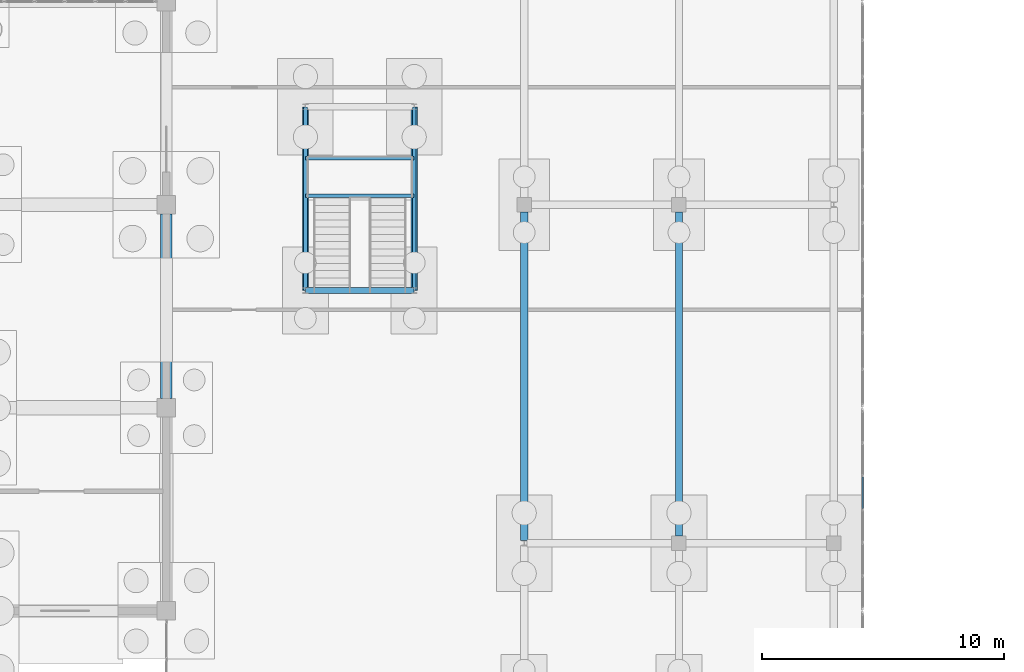
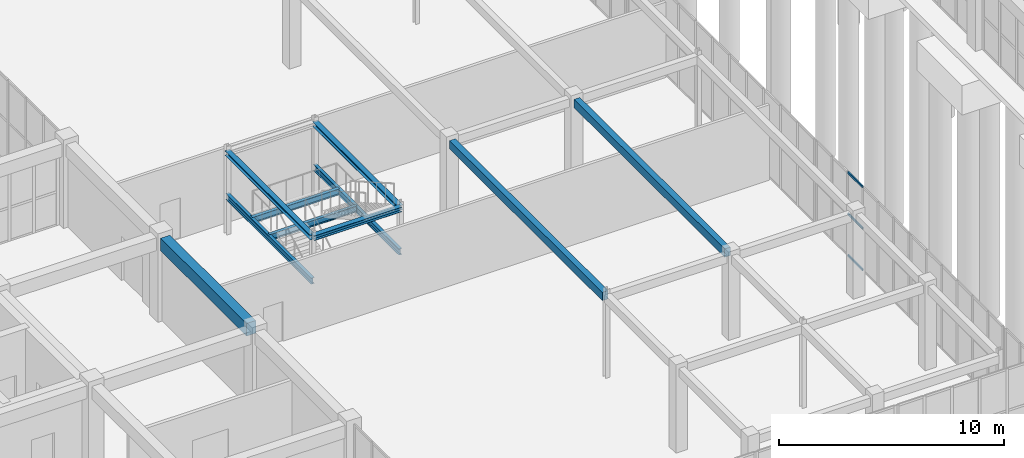
# One storey, part 75 of 192: 10 beams, 3 members, 1 element without a shape of its own.
"""IFC4 building model written with IfcOpenShell, lengths in metres."""

from ifc_helpers import new_model, si_unit, direction, frame, origin, origin_2d, place, context, subcontext, project, spatial, rectangle, hollow_rectangle, i_section, extrude, material, layer, layer_set, material_profile, profile_set, type_object, element, aggregate, save


model = new_model("IFC4")

# Units and contexts
model_context = context("Model", 3, precision=1e-05, world=origin(), true_north=direction((0.0, 1.0)))
body_context = subcontext(model_context, "Body", "Model", "MODEL_VIEW")
ifc_project = project(units=[si_unit("LENGTHUNIT", "METRE"), si_unit("AREAUNIT", "SQUARE_METRE"), si_unit("VOLUMEUNIT", "CUBIC_METRE"), si_unit("PLANEANGLEUNIT", "RADIAN"), si_unit("MASSUNIT", "GRAM", prefix="KILO")], contexts=[model_context])

# Site, building, storey
site_placement = place(None, origin())
site = spatial("IfcSite", under=ifc_project, at=site_placement, CompositionType="ELEMENT")
building_placement = place(site_placement, origin())
building = spatial("IfcBuilding", under=site, at=building_placement, Name="Trelvath General Hospital", CompositionType="ELEMENT")
storey_placement = place(building_placement, origin())
storey = spatial("IfcBuildingStorey", under=building, at=storey_placement, Name="L00", CompositionType="ELEMENT", Elevation=0.0)

# Beams
ifc_material_1 = material(Name="Concrete C35/45", Category="concrete")
ifc_material_profile_1 = material_profile(ifc_material_1, rectangle(XDim=0.300048828125, YDim=0.449951171875, at=origin_2d()), Name="RCB300x450")
ifc_profile_set_1 = profile_set([ifc_material_profile_1], Name="Concrete C35/45")
beam_type_1 = type_object("IfcBeamType", Name="Beam RC300x450", PredefinedType="BEAM", material=ifc_profile_set_1)
beam_1_placement = place(storey_placement, frame((107.199951171875, 44.906005859375, 4.3349609375), z_axis=(0.0, 1.0, 0.0), x_axis=(-1.0, 0.0, 0.0)))
element("IfcBeam", 1, at=beam_1_placement, inside=storey, type_object=beam_type_1, Name="Cube Interior Ring Beam CUBE-E-T0 L00", PredefinedType="BEAM", context=body_context, shape_type="SweptSolid", body=[
    extrude(rectangle(XDim=0.300048828125, YDim=0.449951171875, at=origin_2d()), origin(), (0.0, 0.0, 1.0), 13.597900390625),
])
beam_2_placement = place(storey_placement, frame((113.60009765625, 45.095947265625, 4.3349609375), z_axis=(0.0, 1.0, 0.0), x_axis=(-1.0, 0.0, 0.0)))
element("IfcBeam", 2, at=beam_2_placement, inside=storey, type_object=beam_type_1, Name="Cube Interior Ring Beam CUBE-E-T0 L00", PredefinedType="BEAM", context=body_context, shape_type="SweptSolid", body=[
    extrude(rectangle(XDim=0.300048828125, YDim=0.449951171875, at=origin_2d()), origin(), (0.0, 0.0, 1.0), 13.407958984375),
])
ifc_material_2 = material(Name="Concrete C35/45", Category="concrete")
ifc_material_profile_2 = material_profile(ifc_material_2, rectangle(XDim=0.47998046875, YDim=0.679931640625, at=origin_2d()), Name="RCB480x680")
ifc_profile_set_2 = profile_set([ifc_material_profile_2], Name="Concrete C35/45")
beam_type_2 = type_object("IfcBeamType", Name="Beam RC480x680", PredefinedType="BEAM", material=ifc_profile_set_2)
beam_3_placement = place(storey_placement, frame((92.39990234375, 50.77490234375, 4.179931640625), z_axis=(0.0, 1.0, 0.0), x_axis=(-1.0, 0.0, 0.0)))
element("IfcBeam", 3, at=beam_3_placement, inside=storey, type_object=beam_type_2, Name="Grid Beam BY-011G", PredefinedType="BEAM", context=body_context, shape_type="SweptSolid", body=[
    extrude(rectangle(XDim=0.47998046875, YDim=0.679931640625, at=origin_2d()), origin(), (0.0, 0.0, 1.0), 7.650146484375),
])

# Curtain wall, members
ifc_material_3 = material(Name="Anodised aluminium and low-E glass", Category="aluminium")
ifc_layer = layer(ifc_material_3, 0.139892578125)
ifc_layer_set = layer_set([ifc_layer], Name="Anodised aluminium and low-E glass")
curtain_wall_type = type_object("IfcCurtainWallType", Name="CW CrystalCube 824 456 14", PredefinedType="USERDEFINED", material=ifc_layer_set)
curtain_wall_placement = place(storey_placement, origin())
curtain_wall = element("IfcCurtainWall", 4, at=curtain_wall_placement, inside=storey, type_object=curtain_wall_type, Name="Crystal Cube Curtain Wall CUBE-E-T0 E3 L00", ObjectType="Unitised Glazed Curtain Wall", PredefinedType="USERDEFINED")
ifc_material_4 = material(Name="Anodised aluminium", Category="aluminium")
ifc_material_profile_3 = material_profile(ifc_material_4, hollow_rectangle(XDim=0.06005859375, YDim=0.110107421875, WallThickness=0.00390625, at=origin_2d()), Name="RHS60x110x4")
ifc_profile_set_3 = profile_set([ifc_material_profile_3], Name="Anodised aluminium")
member_type = type_object("IfcMemberType", Name="CurtainTransom 60x110", PredefinedType="USERDEFINED", material=ifc_profile_set_3)
member_1_placement = place(storey_placement, frame((121.199951171875, 47.543212890625, 0.030029296875), z_axis=(0.0, -1.0, 0.0), x_axis=(1.0, 0.0, 0.0)))
member_1 = element("IfcMember", 5, at=member_1_placement, type_object=member_type, Name="CW-120 transom 3.1", ObjectType="TRANSOM", PredefinedType="USERDEFINED", context=body_context, shape_type="SweptSolid", body=[
    extrude(hollow_rectangle(XDim=0.06005859375, YDim=0.110107421875, WallThickness=0.00390625, at=origin_2d()), origin(), (0.0, 0.0, 1.0), 1.313232421875),
])
member_2_placement = place(storey_placement, frame((121.199951171875, 47.543212890625, 2.280029296875), z_axis=(0.0, -1.0, 0.0), x_axis=(1.0, 0.0, 0.0)))
member_2 = element("IfcMember", 6, at=member_2_placement, type_object=member_type, Name="CW-120 transom 3.2", ObjectType="TRANSOM", PredefinedType="USERDEFINED", context=body_context, shape_type="SweptSolid", body=[
    extrude(hollow_rectangle(XDim=0.06005859375, YDim=0.110107421875, WallThickness=0.00390625, at=origin_2d()), origin(), (0.0, 0.0, 1.0), 1.313232421875),
])
member_3_placement = place(storey_placement, frame((121.199951171875, 47.543212890625, 4.530029296875), z_axis=(0.0, -1.0, 0.0), x_axis=(1.0, 0.0, 0.0)))
member_3 = element("IfcMember", 7, at=member_3_placement, type_object=member_type, Name="CW-120 transom 3.3", ObjectType="TRANSOM", PredefinedType="USERDEFINED", context=body_context, shape_type="SweptSolid", body=[
    extrude(hollow_rectangle(XDim=0.06005859375, YDim=0.110107421875, WallThickness=0.00390625, at=origin_2d()), origin(), (0.0, 0.0, 1.0), 1.313232421875),
])
aggregate(curtain_wall, [member_1, member_2, member_3])

# Beams
ifc_material_5 = material(Name="Steel S355", Category="steel")
ifc_material_profile_4 = material_profile(ifc_material_5, i_section(OverallWidth=0.260009765625, OverallDepth=0.25, WebThickness=0.007568359375, FlangeThickness=0.012451171875, at=origin_2d()), Name="HEA260")
ifc_profile_set_4 = profile_set([ifc_material_profile_4], Name="Steel S355")
beam_type_3 = type_object("IfcBeamType", Name="RingBeam HEA260", PredefinedType="BEAM", material=ifc_profile_set_4)
beam_4_placement = place(storey_placement, frame((98.14990234375, 55.25, 4.4150390625), z_axis=(1.0, 0.0, 0.0), x_axis=(0.0, 1.0, 0.0)))
element("IfcBeam", 8, at=beam_4_placement, inside=storey, type_object=beam_type_3, Name="Atrium Ring Beam CUBE-E S L00", PredefinedType="BEAM", context=body_context, shape_type="SweptSolid", body=[
    extrude(i_section(OverallWidth=0.260009765625, OverallDepth=0.25, WebThickness=0.007568359375, FlangeThickness=0.012451171875, at=origin_2d()), origin(), (0.0, 0.0, 1.0), 4.5),
])
for number, where, z_axis, x_axis, name in (
    (9, (98.14990234375, 55.25, 4.4150390625), (0.0, 1.0, 0.0), (-1.0, 0.0, 0.0), "Atrium Ring Beam CUBE-E W L00"),
    (10, (102.64990234375, 55.25, 4.4150390625), (0.0, 1.0, 0.0), (-1.0, 0.0, 0.0), "Atrium Ring Beam CUBE-E E L00"),
):
    element("IfcBeam", number, at=place(storey_placement, frame(where, z_axis=z_axis, x_axis=x_axis)), inside=storey, type_object=beam_type_3, Name=name, PredefinedType="BEAM", context=body_context, shape_type="SweptSolid", body=[
        extrude(i_section(OverallWidth=0.260009765625, OverallDepth=0.25, WebThickness=0.007568359375, FlangeThickness=0.012451171875, at=origin_2d()), origin(), (0.0, 0.0, 1.0), 7.60009765625),
    ])
ifc_material_6 = material(Name="Steel S355", Category="steel")
ifc_material_profile_5 = material_profile(ifc_material_6, i_section(OverallWidth=0.159912109375, OverallDepth=0.330078125, WebThickness=0.007568359375, FlangeThickness=0.011474609375, at=origin_2d()), Name="IPE330")
ifc_profile_set_5 = profile_set([ifc_material_profile_5], Name="Steel S355")
beam_type_4 = type_object("IfcBeamType", Name="StairLandingBeam IPE330", PredefinedType="BEAM", material=ifc_profile_set_5)
for number, where, z_axis, x_axis, name in (
    (11, (98.14990234375, 55.25, 2.034912109375), (0.0, 1.0, 0.0), (-1.0, 0.0, 0.0), "Cube Stair Stringer Beam CUBE-E W L00"),
    (12, (102.64990234375, 55.25, 2.034912109375), (0.0, 1.0, 0.0), (-1.0, 0.0, 0.0), "Cube Stair Stringer Beam CUBE-E E L00"),
):
    element("IfcBeam", number, at=place(storey_placement, frame(where, z_axis=z_axis, x_axis=x_axis)), inside=storey, type_object=beam_type_4, Name=name, PredefinedType="BEAM", context=body_context, shape_type="SweptSolid", body=[
        extrude(i_section(OverallWidth=0.159912109375, OverallDepth=0.330078125, WebThickness=0.007568359375, FlangeThickness=0.011474609375, at=origin_2d()), origin(), (0.0, 0.0, 1.0), 7.60009765625),
    ])
for number, where, z_axis, x_axis, name in (
    (13, (98.14990234375, 59.169921875, 2.034912109375), (1.0, 0.0, 0.0), (0.0, 1.0, 0.0), "Cube Landing Cross Beam CUBE-E S L00"),
    (14, (98.14990234375, 60.719970703125, 2.034912109375), (1.0, 0.0, 0.0), (0.0, 1.0, 0.0), "Cube Landing Cross Beam CUBE-E N L00"),
):
    element("IfcBeam", number, at=place(storey_placement, frame(where, z_axis=z_axis, x_axis=x_axis)), inside=storey, type_object=beam_type_4, Name=name, PredefinedType="BEAM", context=body_context, shape_type="SweptSolid", body=[
        extrude(i_section(OverallWidth=0.159912109375, OverallDepth=0.330078125, WebThickness=0.007568359375, FlangeThickness=0.011474609375, at=origin_2d()), origin(), (0.0, 0.0, 1.0), 4.5),
    ])

save(model, "model.ifc")
